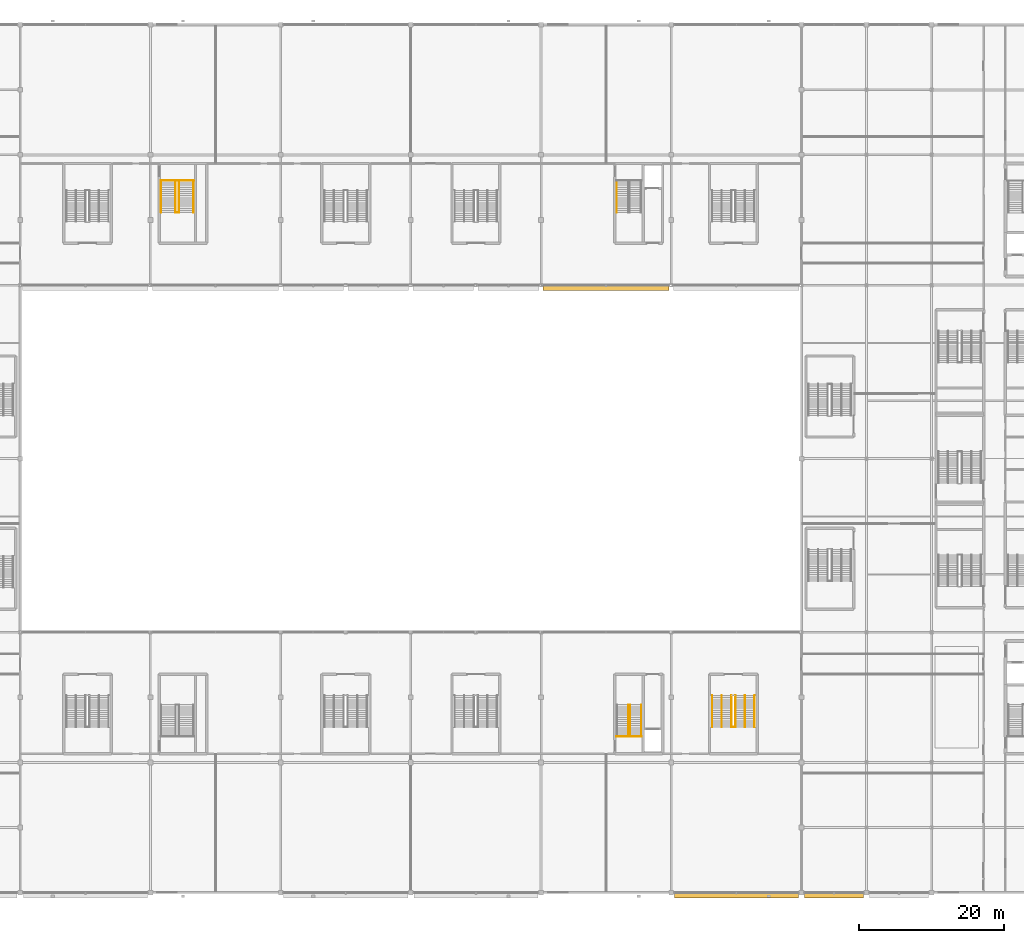
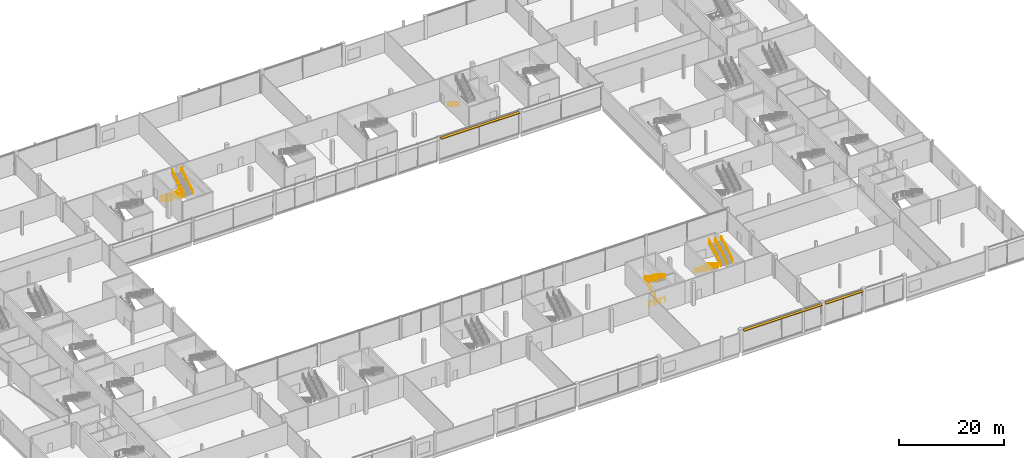
# One storey, part 104 of 111: 13 railings, 3 shading devices.
"""IFC4 building model written with IfcOpenShell, lengths in metres."""

from ifc_helpers import new_model, si_unit, direction, frame, origin, origin_2d, place, context, subcontext, project, spatial, rectangle, circle, extrude, material, type_object, element, save


model = new_model("IFC4")

# Units and contexts
model_context = context("Model", 3, precision=1e-05, world=origin(), true_north=direction((0.0, 1.0)))
body_context = subcontext(model_context, "Body", "Model", "MODEL_VIEW")
ifc_project = project(units=[si_unit("LENGTHUNIT", "METRE"), si_unit("AREAUNIT", "SQUARE_METRE"), si_unit("VOLUMEUNIT", "CUBIC_METRE"), si_unit("PLANEANGLEUNIT", "RADIAN"), si_unit("MASSUNIT", "GRAM", prefix="KILO")], contexts=[model_context])

# Site, building, storey
site_placement = place(None, origin())
site = spatial("IfcSite", under=ifc_project, at=site_placement, CompositionType="ELEMENT")
building_placement = place(site_placement, origin())
building = spatial("IfcBuilding", under=site, at=building_placement, Name="Kisiwana Market Hall", CompositionType="ELEMENT")
storey_placement = place(building_placement, frame((0.0, 0.0, 11.39990234375)))
storey = spatial("IfcBuildingStorey", under=building, at=storey_placement, Name="L02", CompositionType="ELEMENT", Elevation=11.39990234375)

# Railings
ifc_material_1 = material(Name="Steel S275", Category="steel")
railing_type_1 = type_object("IfcRailingType", Name="RL-GUARD-1100", PredefinedType="GUARDRAIL", material=ifc_material_1)
railing_1_placement = place(storey_placement, frame((129.080078125, 21.62939453125, 0.0)))
element("IfcRailing", 1, at=railing_1_placement, inside=storey, type_object=railing_type_1, Name="Stair ST-S2-L02 inner-well guardrail (RL-495)", PredefinedType="GUARDRAIL", context=body_context, shape_type="SweptSolid", body=[
    extrude(circle(Radius=0.02392578125, at=origin_2d()), frame((0.0, 0.0, 1.076171875), z_axis=(0.0, 0.849628378081, 0.527381853271), x_axis=(-1.0, 0.0, 0.0)), (0.0, 0.0, 1.0), 5.1201171875),
    extrude(circle(Radius=0.02392578125, at=origin_2d()), frame((0.0, 4.35009765625, 3.7763671875), z_axis=(1.0, 0.0, 0.0), x_axis=(0.0, 1.0, 0.0)), (0.0, 0.0, 1.0), 0.199951171875),
    extrude(circle(Radius=0.02392578125, at=origin_2d()), frame((0.199951171875, 4.35009765625, 3.7763671875), z_axis=(0.0, -0.849649743971, 0.527347430608), x_axis=(1.0, 0.0, 0.0)), (0.0, 0.0, 1.0), 5.119873046875),
    extrude(circle(Radius=0.02099609375, at=origin_2d()), origin(), (0.0, 0.0, 1.0), 1.052001953125),
    extrude(circle(Radius=0.02099609375, at=origin_2d()), frame((0.0, 0.8701171875, 0.5400390625)), (0.0, 0.0, 1.0), 1.052001953125),
    extrude(circle(Radius=0.02099609375, at=origin_2d()), frame((0.0, 1.739990234375, 1.080078125)), (0.0, 0.0, 1.0), 1.052001953125),
    extrude(circle(Radius=0.02099609375, at=origin_2d()), frame((0.0, 2.610107421875, 1.6201171875)), (0.0, 0.0, 1.0), 1.052001953125),
    extrude(circle(Radius=0.02099609375, at=origin_2d()), frame((0.0, 3.47998046875, 2.16015625)), (0.0, 0.0, 1.0), 1.052001953125),
    extrude(circle(Radius=0.02099609375, at=origin_2d()), frame((0.0, 4.35009765625, 2.7001953125)), (0.0, 0.0, 1.0), 1.052001953125),
    extrude(circle(Radius=0.02099609375, at=origin_2d()), frame((0.199951171875, 4.35009765625, 2.7001953125)), (0.0, 0.0, 1.0), 1.052001953125),
    extrude(circle(Radius=0.02099609375, at=origin_2d()), frame((0.199951171875, 3.47998046875, 3.240234375)), (0.0, 0.0, 1.0), 1.052001953125),
    extrude(circle(Radius=0.02099609375, at=origin_2d()), frame((0.199951171875, 2.610107421875, 3.7802734375)), (0.0, 0.0, 1.0), 1.052001953125),
    extrude(circle(Radius=0.02099609375, at=origin_2d()), frame((0.199951171875, 1.739990234375, 4.320068359375)), (0.0, 0.0, 1.0), 1.052001953125),
    extrude(circle(Radius=0.02099609375, at=origin_2d()), frame((0.199951171875, 0.8701171875, 4.860107421875)), (0.0, 0.0, 1.0), 1.052001953125),
    extrude(circle(Radius=0.02099609375, at=origin_2d()), frame((0.199951171875, 0.0, 5.400146484375)), (0.0, 0.0, 1.0), 1.052001953125),
])
railing_2_placement = place(storey_placement, frame((127.43994140625, 21.569580078125, 0.0)))
element("IfcRailing", 2, at=railing_2_placement, inside=storey, type_object=railing_type_1, Name="Stair ST-S2-L02 landing edge guardrail (RL-498)", PredefinedType="GUARDRAIL", context=body_context, shape_type="SweptSolid", body=[
    extrude(circle(Radius=0.02392578125, at=origin_2d()), frame((0.0, 0.0, 1.076171875), z_axis=(1.0, 0.0, 0.0), x_axis=(0.0, 1.0, 0.0)), (0.0, 0.0, 1.0), 3.47998046875),
    extrude(circle(Radius=0.02099609375, at=origin_2d()), origin(), (0.0, 0.0, 1.0), 1.052001953125),
    extrude(circle(Radius=0.02099609375, at=origin_2d()), frame((1.159912109375, 0.0, 0.0)), (0.0, 0.0, 1.0), 1.052001953125),
    extrude(circle(Radius=0.02099609375, at=origin_2d()), frame((2.320068359375, 0.0, 0.0)), (0.0, 0.0, 1.0), 1.052001953125),
    extrude(circle(Radius=0.02099609375, at=origin_2d()), frame((3.47998046875, 0.0, 0.0)), (0.0, 0.0, 1.0), 1.052001953125),
])
railing_3_placement = place(storey_placement, frame((66.47998046875, 98.390380859375, 0.0)))
element("IfcRailing", 3, at=railing_3_placement, inside=storey, type_object=railing_type_1, Name="Stair ST-N1-L02 inner-well guardrail (RL-499)", PredefinedType="GUARDRAIL", context=body_context, shape_type="SweptSolid", body=[
    extrude(circle(Radius=0.02392578125, at=origin_2d()), frame((0.0, 0.0, 1.076171875), z_axis=(0.0, -0.849615114927, 0.52740322002), x_axis=(1.0, 0.0, 0.0)), (0.0, 0.0, 1.0), 5.119873046875),
    extrude(circle(Radius=0.02392578125, at=origin_2d()), frame((0.0, -4.349853515625, 3.7763671875), z_axis=(1.0, 0.0, 0.0), x_axis=(0.0, 1.0, 0.0)), (0.0, 0.0, 1.0), 0.4599609375),
    extrude(circle(Radius=0.02392578125, at=origin_2d()), frame((0.4599609375, -4.349853515625, 3.7763671875), z_axis=(0.0, 0.849636482215, 0.527368797038), x_axis=(-1.0, 0.0, 0.0)), (0.0, 0.0, 1.0), 5.11962890625),
    extrude(circle(Radius=0.02099609375, at=origin_2d()), origin(), (0.0, 0.0, 1.0), 1.052001953125),
    extrude(circle(Radius=0.02099609375, at=origin_2d()), frame((0.0, -0.869873046875, 0.5400390625)), (0.0, 0.0, 1.0), 1.052001953125),
    extrude(circle(Radius=0.02099609375, at=origin_2d()), frame((0.0, -1.739990234375, 1.080078125)), (0.0, 0.0, 1.0), 1.052001953125),
    extrude(circle(Radius=0.02099609375, at=origin_2d()), frame((0.0, -2.60986328125, 1.6201171875)), (0.0, 0.0, 1.0), 1.052001953125),
    extrude(circle(Radius=0.02099609375, at=origin_2d()), frame((0.0, -3.47998046875, 2.16015625)), (0.0, 0.0, 1.0), 1.052001953125),
    extrude(circle(Radius=0.02099609375, at=origin_2d()), frame((0.0, -4.349853515625, 2.7001953125)), (0.0, 0.0, 1.0), 1.052001953125),
    extrude(circle(Radius=0.02099609375, at=origin_2d()), frame((0.4599609375, -4.349853515625, 2.7001953125)), (0.0, 0.0, 1.0), 1.052001953125),
    extrude(circle(Radius=0.02099609375, at=origin_2d()), frame((0.4599609375, -3.47998046875, 3.240234375)), (0.0, 0.0, 1.0), 1.052001953125),
    extrude(circle(Radius=0.02099609375, at=origin_2d()), frame((0.4599609375, -2.60986328125, 3.7802734375)), (0.0, 0.0, 1.0), 1.052001953125),
    extrude(circle(Radius=0.02099609375, at=origin_2d()), frame((0.4599609375, -1.739990234375, 4.320068359375)), (0.0, 0.0, 1.0), 1.052001953125),
    extrude(circle(Radius=0.02099609375, at=origin_2d()), frame((0.4599609375, -0.869873046875, 4.860107421875)), (0.0, 0.0, 1.0), 1.052001953125),
    extrude(circle(Radius=0.02099609375, at=origin_2d()), frame((0.4599609375, 0.0, 5.400146484375)), (0.0, 0.0, 1.0), 1.052001953125),
])
railing_4_placement = place(storey_placement, frame((64.419921875, 98.450439453125, 0.0)))
element("IfcRailing", 4, at=railing_4_placement, inside=storey, type_object=railing_type_1, Name="Stair ST-N1-L02 landing edge guardrail (RL-502)", PredefinedType="GUARDRAIL", context=body_context, shape_type="SweptSolid", body=[
    extrude(circle(Radius=0.02392578125, at=origin_2d()), frame((0.0, 0.0, 1.076171875), z_axis=(1.0, 0.0, 0.0), x_axis=(0.0, 1.0, 0.0)), (0.0, 0.0, 1.0), 4.580078125),
    extrude(circle(Radius=0.02099609375, at=origin_2d()), origin(), (0.0, 0.0, 1.0), 1.052001953125),
    extrude(circle(Radius=0.02099609375, at=origin_2d()), frame((1.14501953125, 0.0, 0.0)), (0.0, 0.0, 1.0), 1.052001953125),
    extrude(circle(Radius=0.02099609375, at=origin_2d()), frame((2.2900390625, 0.0, 0.0)), (0.0, 0.0, 1.0), 1.052001953125),
    extrude(circle(Radius=0.02099609375, at=origin_2d()), frame((3.43505859375, 0.0, 0.0)), (0.0, 0.0, 1.0), 1.052001953125),
    extrude(circle(Radius=0.02099609375, at=origin_2d()), frame((4.580078125, 0.0, 0.0)), (0.0, 0.0, 1.0), 1.052001953125),
])
railing_5_placement = place(storey_placement, frame((143.320068359375, 27.239990234375, 0.0)))
element("IfcRailing", 5, at=railing_5_placement, inside=storey, type_object=railing_type_1, Name="Stair ST-S6-L02 inner-well guardrail (RL-627)", PredefinedType="GUARDRAIL", context=body_context, shape_type="SweptSolid", body=[
    extrude(circle(Radius=0.02392578125, at=origin_2d()), frame((0.0, 0.0, 1.076171875), z_axis=(0.0, -0.849628378081, 0.527381853271), x_axis=(1.0, 0.0, 0.0)), (0.0, 0.0, 1.0), 5.1201171875),
    extrude(circle(Radius=0.02392578125, at=origin_2d()), frame((0.0, -4.35009765625, 3.7763671875), z_axis=(1.0, 0.0, 0.0), x_axis=(0.0, 1.0, 0.0)), (0.0, 0.0, 1.0), 0.559814453125),
    extrude(circle(Radius=0.02392578125, at=origin_2d()), frame((0.559814453125, -4.35009765625, 3.7763671875), z_axis=(0.0, 0.849649743971, 0.527347430608), x_axis=(-1.0, 0.0, 0.0)), (0.0, 0.0, 1.0), 5.119873046875),
    extrude(circle(Radius=0.02099609375, at=origin_2d()), origin(), (0.0, 0.0, 1.0), 1.052001953125),
    extrude(circle(Radius=0.02099609375, at=origin_2d()), frame((0.0, -0.8701171875, 0.5400390625)), (0.0, 0.0, 1.0), 1.052001953125),
    extrude(circle(Radius=0.02099609375, at=origin_2d()), frame((0.0, -1.739990234375, 1.080078125)), (0.0, 0.0, 1.0), 1.052001953125),
    extrude(circle(Radius=0.02099609375, at=origin_2d()), frame((0.0, -2.610107421875, 1.6201171875)), (0.0, 0.0, 1.0), 1.052001953125),
    extrude(circle(Radius=0.02099609375, at=origin_2d()), frame((0.0, -3.47998046875, 2.16015625)), (0.0, 0.0, 1.0), 1.052001953125),
    extrude(circle(Radius=0.02099609375, at=origin_2d()), frame((0.0, -4.35009765625, 2.7001953125)), (0.0, 0.0, 1.0), 1.052001953125),
    extrude(circle(Radius=0.02099609375, at=origin_2d()), frame((0.559814453125, -4.35009765625, 2.7001953125)), (0.0, 0.0, 1.0), 1.052001953125),
    extrude(circle(Radius=0.02099609375, at=origin_2d()), frame((0.559814453125, -3.47998046875, 3.240234375)), (0.0, 0.0, 1.0), 1.052001953125),
    extrude(circle(Radius=0.02099609375, at=origin_2d()), frame((0.559814453125, -2.610107421875, 3.7802734375)), (0.0, 0.0, 1.0), 1.052001953125),
    extrude(circle(Radius=0.02099609375, at=origin_2d()), frame((0.559814453125, -1.739990234375, 4.320068359375)), (0.0, 0.0, 1.0), 1.052001953125),
    extrude(circle(Radius=0.02099609375, at=origin_2d()), frame((0.559814453125, -0.8701171875, 4.860107421875)), (0.0, 0.0, 1.0), 1.052001953125),
    extrude(circle(Radius=0.02099609375, at=origin_2d()), frame((0.559814453125, 0.0, 5.400146484375)), (0.0, 0.0, 1.0), 1.052001953125),
])
ifc_material_2 = material(Name="Steel S275", Category="steel")
railing_type_2 = type_object("IfcRailingType", Name="RL-HAND-900", PredefinedType="HANDRAIL", material=ifc_material_2)
railing_6_placement = place(storey_placement, frame((130.860107421875, 25.9794921875, 2.7001953125)))
element("IfcRailing", 6, at=railing_6_placement, inside=storey, type_object=railing_type_2, Name="Stair ST-S2-L02 flight 2 handrail (RL-497)", PredefinedType="HANDRAIL", context=body_context, shape_type="SweptSolid", body=[
    extrude(circle(Radius=0.02392578125, at=origin_2d()), frame((0.0, 0.0, 0.8759765625), z_axis=(0.0, -0.849649743971, 0.527347430608), x_axis=(1.0, 0.0, 0.0)), (0.0, 0.0, 1.0), 5.119873046875),
    extrude(circle(Radius=0.02099609375, at=origin_2d()), origin(), (0.0, 0.0, 1.0), 0.851806640625),
    extrude(circle(Radius=0.02099609375, at=origin_2d()), frame((0.0, -0.8701171875, 0.5400390625)), (0.0, 0.0, 1.0), 0.851806640625),
    extrude(circle(Radius=0.02099609375, at=origin_2d()), frame((0.0, -1.739990234375, 1.080078125)), (0.0, 0.0, 1.0), 0.851806640625),
    extrude(circle(Radius=0.02099609375, at=origin_2d()), frame((0.0, -2.610107421875, 1.619873046875)), (0.0, 0.0, 1.0), 0.851806640625),
    extrude(circle(Radius=0.02099609375, at=origin_2d()), frame((0.0, -3.47998046875, 2.159912109375)), (0.0, 0.0, 1.0), 0.851806640625),
    extrude(circle(Radius=0.02099609375, at=origin_2d()), frame((0.0, -4.35009765625, 2.699951171875)), (0.0, 0.0, 1.0), 0.851806640625),
])
railing_7_placement = place(storey_placement, frame((64.47998046875, 98.390380859375, 0.0)))
element("IfcRailing", 7, at=railing_7_placement, inside=storey, type_object=railing_type_2, Name="Stair ST-N1-L02 flight 1 handrail (RL-500)", PredefinedType="HANDRAIL", context=body_context, shape_type="SweptSolid", body=[
    extrude(circle(Radius=0.02392578125, at=origin_2d()), frame((0.0, 0.0, 0.8759765625), z_axis=(0.0, -0.849615114927, 0.52740322002), x_axis=(1.0, 0.0, 0.0)), (0.0, 0.0, 1.0), 5.119873046875),
    extrude(circle(Radius=0.02099609375, at=origin_2d()), origin(), (0.0, 0.0, 1.0), 0.851806640625),
    extrude(circle(Radius=0.02099609375, at=origin_2d()), frame((0.0, -0.869873046875, 0.5400390625)), (0.0, 0.0, 1.0), 0.851806640625),
    extrude(circle(Radius=0.02099609375, at=origin_2d()), frame((0.0, -1.739990234375, 1.080078125)), (0.0, 0.0, 1.0), 0.851806640625),
    extrude(circle(Radius=0.02099609375, at=origin_2d()), frame((0.0, -2.60986328125, 1.6201171875)), (0.0, 0.0, 1.0), 0.851806640625),
    extrude(circle(Radius=0.02099609375, at=origin_2d()), frame((0.0, -3.47998046875, 2.16015625)), (0.0, 0.0, 1.0), 0.851806640625),
    extrude(circle(Radius=0.02099609375, at=origin_2d()), frame((0.0, -4.349853515625, 2.7001953125)), (0.0, 0.0, 1.0), 0.851806640625),
])
railing_8_placement = place(storey_placement, frame((68.93994140625, 94.04052734375, 2.7001953125)))
element("IfcRailing", 8, at=railing_8_placement, inside=storey, type_object=railing_type_2, Name="Stair ST-N1-L02 flight 2 handrail (RL-501)", PredefinedType="HANDRAIL", context=body_context, shape_type="SweptSolid", body=[
    extrude(circle(Radius=0.02392578125, at=origin_2d()), frame((0.0, 0.0, 0.8759765625), z_axis=(0.0, 0.849636482215, 0.527368797038), x_axis=(-1.0, 0.0, 0.0)), (0.0, 0.0, 1.0), 5.11962890625),
    extrude(circle(Radius=0.02099609375, at=origin_2d()), origin(), (0.0, 0.0, 1.0), 0.851806640625),
    extrude(circle(Radius=0.02099609375, at=origin_2d()), frame((0.0, 0.869873046875, 0.5400390625)), (0.0, 0.0, 1.0), 0.851806640625),
    extrude(circle(Radius=0.02099609375, at=origin_2d()), frame((0.0, 1.739990234375, 1.080078125)), (0.0, 0.0, 1.0), 0.851806640625),
    extrude(circle(Radius=0.02099609375, at=origin_2d()), frame((0.0, 2.60986328125, 1.619873046875)), (0.0, 0.0, 1.0), 0.851806640625),
    extrude(circle(Radius=0.02099609375, at=origin_2d()), frame((0.0, 3.47998046875, 2.159912109375)), (0.0, 0.0, 1.0), 0.851806640625),
    extrude(circle(Radius=0.02099609375, at=origin_2d()), frame((0.0, 4.349853515625, 2.699951171875)), (0.0, 0.0, 1.0), 0.851806640625),
])
railing_9_placement = place(storey_placement, frame((127.47998046875, 98.390380859375, 0.0)))
element("IfcRailing", 9, at=railing_9_placement, inside=storey, type_object=railing_type_2, Name="Stair ST-N2-L02 flight 1 handrail (RL-504)", PredefinedType="HANDRAIL", context=body_context, shape_type="SweptSolid", body=[
    extrude(circle(Radius=0.02392578125, at=origin_2d()), frame((0.0, 0.0, 0.8759765625), z_axis=(0.0, -0.849615114927, 0.52740322002), x_axis=(1.0, 0.0, 0.0)), (0.0, 0.0, 1.0), 5.119873046875),
    extrude(circle(Radius=0.02099609375, at=origin_2d()), origin(), (0.0, 0.0, 1.0), 0.851806640625),
    extrude(circle(Radius=0.02099609375, at=origin_2d()), frame((0.0, -0.869873046875, 0.5400390625)), (0.0, 0.0, 1.0), 0.851806640625),
    extrude(circle(Radius=0.02099609375, at=origin_2d()), frame((0.0, -1.739990234375, 1.080078125)), (0.0, 0.0, 1.0), 0.851806640625),
    extrude(circle(Radius=0.02099609375, at=origin_2d()), frame((0.0, -2.60986328125, 1.6201171875)), (0.0, 0.0, 1.0), 0.851806640625),
    extrude(circle(Radius=0.02099609375, at=origin_2d()), frame((0.0, -3.47998046875, 2.16015625)), (0.0, 0.0, 1.0), 0.851806640625),
    extrude(circle(Radius=0.02099609375, at=origin_2d()), frame((0.0, -4.349853515625, 2.7001953125)), (0.0, 0.0, 1.0), 0.851806640625),
])
railing_10_placement = place(storey_placement, frame((140.669921875, 27.239990234375, 0.0)))
element("IfcRailing", 10, at=railing_10_placement, inside=storey, type_object=railing_type_2, Name="Stair ST-S6-L02 flight 1 handrail (RL-628)", PredefinedType="HANDRAIL", context=body_context, shape_type="SweptSolid", body=[
    extrude(circle(Radius=0.02392578125, at=origin_2d()), frame((0.0, 0.0, 0.8759765625), z_axis=(0.0, -0.849628378081, 0.527381853271), x_axis=(1.0, 0.0, 0.0)), (0.0, 0.0, 1.0), 5.1201171875),
    extrude(circle(Radius=0.02099609375, at=origin_2d()), origin(), (0.0, 0.0, 1.0), 0.851806640625),
    extrude(circle(Radius=0.02099609375, at=origin_2d()), frame((0.0, -0.8701171875, 0.5400390625)), (0.0, 0.0, 1.0), 0.851806640625),
    extrude(circle(Radius=0.02099609375, at=origin_2d()), frame((0.0, -1.739990234375, 1.080078125)), (0.0, 0.0, 1.0), 0.851806640625),
    extrude(circle(Radius=0.02099609375, at=origin_2d()), frame((0.0, -2.610107421875, 1.6201171875)), (0.0, 0.0, 1.0), 0.851806640625),
    extrude(circle(Radius=0.02099609375, at=origin_2d()), frame((0.0, -3.47998046875, 2.16015625)), (0.0, 0.0, 1.0), 0.851806640625),
    extrude(circle(Radius=0.02099609375, at=origin_2d()), frame((0.0, -4.35009765625, 2.7001953125)), (0.0, 0.0, 1.0), 0.851806640625),
])
railing_11_placement = place(storey_placement, frame((146.530029296875, 22.889892578125, 2.7001953125)))
element("IfcRailing", 11, at=railing_11_placement, inside=storey, type_object=railing_type_2, Name="Stair ST-S6-L02 flight 2 handrail (RL-629)", PredefinedType="HANDRAIL", context=body_context, shape_type="SweptSolid", body=[
    extrude(circle(Radius=0.02392578125, at=origin_2d()), frame((0.0, 0.0, 0.8759765625), z_axis=(0.0, 0.849649743971, 0.527347430608), x_axis=(-1.0, 0.0, 0.0)), (0.0, 0.0, 1.0), 5.119873046875),
    extrude(circle(Radius=0.02099609375, at=origin_2d()), origin(), (0.0, 0.0, 1.0), 0.851806640625),
    extrude(circle(Radius=0.02099609375, at=origin_2d()), frame((0.0, 0.8701171875, 0.5400390625)), (0.0, 0.0, 1.0), 0.851806640625),
    extrude(circle(Radius=0.02099609375, at=origin_2d()), frame((0.0, 1.739990234375, 1.080078125)), (0.0, 0.0, 1.0), 0.851806640625),
    extrude(circle(Radius=0.02099609375, at=origin_2d()), frame((0.0, 2.610107421875, 1.619873046875)), (0.0, 0.0, 1.0), 0.851806640625),
    extrude(circle(Radius=0.02099609375, at=origin_2d()), frame((0.0, 3.47998046875, 2.159912109375)), (0.0, 0.0, 1.0), 0.851806640625),
    extrude(circle(Radius=0.02099609375, at=origin_2d()), frame((0.0, 4.35009765625, 2.699951171875)), (0.0, 0.0, 1.0), 0.851806640625),
])
railing_12_placement = place(storey_placement, frame((141.989990234375, 27.239990234375, 0.0)))
element("IfcRailing", 12, at=railing_12_placement, inside=storey, type_object=railing_type_2, Name="Stair ST-S6-L02 flight 1 intermediate handrail (RL-630)", PredefinedType="HANDRAIL", context=body_context, shape_type="SweptSolid", body=[
    extrude(circle(Radius=0.02392578125, at=origin_2d()), frame((0.0, 0.0, 0.8759765625), z_axis=(0.0, -0.849628378081, 0.527381853271), x_axis=(1.0, 0.0, 0.0)), (0.0, 0.0, 1.0), 5.1201171875),
    extrude(circle(Radius=0.02099609375, at=origin_2d()), origin(), (0.0, 0.0, 1.0), 0.851806640625),
    extrude(circle(Radius=0.02099609375, at=origin_2d()), frame((0.0, -0.8701171875, 0.5400390625)), (0.0, 0.0, 1.0), 0.851806640625),
    extrude(circle(Radius=0.02099609375, at=origin_2d()), frame((0.0, -1.739990234375, 1.080078125)), (0.0, 0.0, 1.0), 0.851806640625),
    extrude(circle(Radius=0.02099609375, at=origin_2d()), frame((0.0, -2.610107421875, 1.6201171875)), (0.0, 0.0, 1.0), 0.851806640625),
    extrude(circle(Radius=0.02099609375, at=origin_2d()), frame((0.0, -3.47998046875, 2.16015625)), (0.0, 0.0, 1.0), 0.851806640625),
    extrude(circle(Radius=0.02099609375, at=origin_2d()), frame((0.0, -4.35009765625, 2.7001953125)), (0.0, 0.0, 1.0), 0.851806640625),
])
railing_13_placement = place(storey_placement, frame((145.2099609375, 22.889892578125, 2.7001953125)))
element("IfcRailing", 13, at=railing_13_placement, inside=storey, type_object=railing_type_2, Name="Stair ST-S6-L02 flight 2 intermediate handrail (RL-631)", PredefinedType="HANDRAIL", context=body_context, shape_type="SweptSolid", body=[
    extrude(circle(Radius=0.02392578125, at=origin_2d()), frame((0.0, 0.0, 0.8759765625), z_axis=(0.0, 0.849649743971, 0.527347430608), x_axis=(-1.0, 0.0, 0.0)), (0.0, 0.0, 1.0), 5.119873046875),
    extrude(circle(Radius=0.02099609375, at=origin_2d()), origin(), (0.0, 0.0, 1.0), 0.851806640625),
    extrude(circle(Radius=0.02099609375, at=origin_2d()), frame((0.0, 0.8701171875, 0.5400390625)), (0.0, 0.0, 1.0), 0.851806640625),
    extrude(circle(Radius=0.02099609375, at=origin_2d()), frame((0.0, 1.739990234375, 1.080078125)), (0.0, 0.0, 1.0), 0.851806640625),
    extrude(circle(Radius=0.02099609375, at=origin_2d()), frame((0.0, 2.610107421875, 1.619873046875)), (0.0, 0.0, 1.0), 0.851806640625),
    extrude(circle(Radius=0.02099609375, at=origin_2d()), frame((0.0, 3.47998046875, 2.159912109375)), (0.0, 0.0, 1.0), 0.851806640625),
    extrude(circle(Radius=0.02099609375, at=origin_2d()), frame((0.0, 4.35009765625, 2.699951171875)), (0.0, 0.0, 1.0), 0.851806640625),
])

# Shading devices
ifc_material_3 = material(Name="Aluminium alloy 6063-T6", Category="aluminium")
shading_device_type = type_object("IfcShadingDeviceType", Name="SHD-JALOUSIE-H", PredefinedType="JALOUSIE", material=ifc_material_3)
shading_device_1_placement = place(storey_placement, frame((144.0, -0.419921875, 4.969970703125), z_axis=(0.0, 0.0, 1.0), x_axis=(1.0, 0.0, 0.0)))
element("IfcShadingDevice", 14, at=shading_device_1_placement, inside=storey, type_object=shading_device_type, Name="Aluminium brise-soleil louvre SHD-045 SD-045", PredefinedType="JALOUSIE", context=body_context, shape_type="SweptSolid", body=[
    extrude(rectangle(XDim=17.14990234375, YDim=0.64990234375, at=origin_2d()), origin(), (0.0, 0.0, 1.0), 0.1201171875),
])
shading_device_2_placement = place(storey_placement, frame((157.5, -0.419921875, 4.969970703125), z_axis=(0.0, 0.0, 1.0), x_axis=(1.0, 0.0, 0.0)))
element("IfcShadingDevice", 15, at=shading_device_2_placement, inside=storey, type_object=shading_device_type, Name="Aluminium brise-soleil louvre SHD-046 SD-046", PredefinedType="JALOUSIE", context=body_context, shape_type="SweptSolid", body=[
    extrude(rectangle(XDim=8.14990234375, YDim=0.64990234375, at=origin_2d()), origin(), (0.0, 0.0, 1.0), 0.1201171875),
])
shading_device_3_placement = place(storey_placement, frame((126.0, 83.580078125, 4.969970703125), z_axis=(0.0, 0.0, 1.0), x_axis=(1.0, 0.0, 0.0)))
element("IfcShadingDevice", 16, at=shading_device_3_placement, inside=storey, type_object=shading_device_type, Name="Aluminium brise-soleil louvre SHD-055 SD-055", PredefinedType="JALOUSIE", context=body_context, shape_type="SweptSolid", body=[
    extrude(rectangle(XDim=17.387939453125, YDim=0.64990234375, at=origin_2d()), origin(), (0.0, 0.0, 1.0), 0.1201171875),
])

save(model, "model.ifc")
